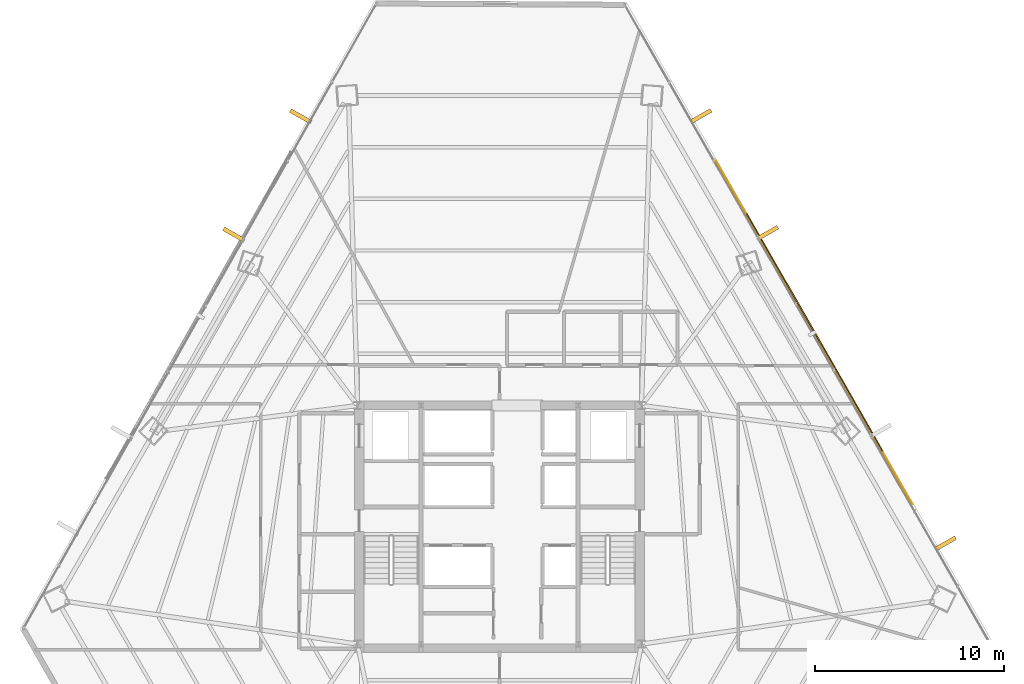
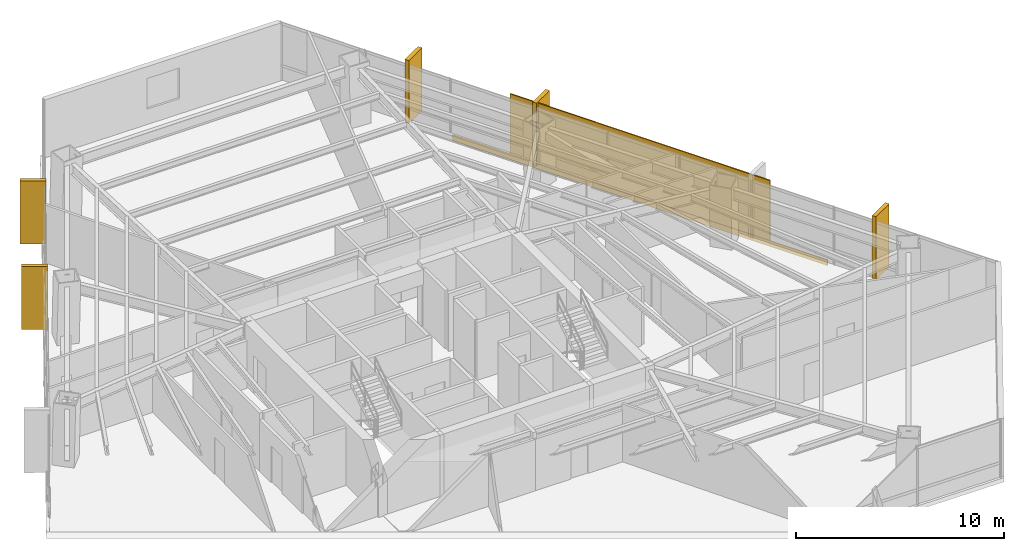
# One storey, part 36 of 36: 6 coverings, 1 shading device.
"""IFC4 building model written with IfcOpenShell, lengths in metres."""

from ifc_helpers import new_model, si_unit, direction, frame, origin, origin_2d, place, context, subcontext, project, spatial, rectangle, extrude, source, transform, mapped, material, layer, layer_set, type_object, type_shapes, element, save


model = new_model("IFC4")

# Units and contexts
model_context = context("Model", 3, precision=1e-05, world=origin(), true_north=direction((0.0, 1.0)))
body_context = subcontext(model_context, "Body", "Model", "MODEL_VIEW")
ifc_project = project(units=[si_unit("LENGTHUNIT", "METRE"), si_unit("AREAUNIT", "SQUARE_METRE"), si_unit("VOLUMEUNIT", "CUBIC_METRE"), si_unit("PLANEANGLEUNIT", "RADIAN"), si_unit("MASSUNIT", "GRAM", prefix="KILO")], contexts=[model_context])

# Site, building, storey
site_placement = place(None, origin())
site = spatial("IfcSite", under=ifc_project, at=site_placement, CompositionType="ELEMENT")
building_placement = place(site_placement, origin())
building = spatial("IfcBuilding", under=site, at=building_placement, Name="Caelisora Broadcast Tower", CompositionType="ELEMENT")
storey_placement = place(building_placement, frame((0.0, 0.0, 79.85009765625)))
storey = spatial("IfcBuildingStorey", under=building, at=storey_placement, Name="L20", CompositionType="ELEMENT", Elevation=79.85009765625)

# Coverings
ifc_material_1 = material(Name="Kiln-Fired Terracotta Spandrel Rainscreen Cladding", Category="ceramic")
ifc_layer_1 = layer(ifc_material_1, 0.044921875, Name="Kiln-Fired Terracotta Spandrel Rainscreen Cladding")
ifc_layer_set_1 = layer_set([ifc_layer_1], Name="Kiln-Fired Terracotta Spandrel Rainscreen Cladding")
covering_type = type_object("IfcCoveringType", Name="CL-1", PredefinedType="CLADDING", material=ifc_layer_set_1)
shared_shape_1 = source(origin(), body_context, "Body", "SweptSolid", [
    extrude(rectangle(XDim=0.219970703125, YDim=1.25, at=origin_2d()), origin(), (0.0, 0.0, 1.0), 3.68994140625),
])
for number, where, z_axis, x_axis, name in (
    (1, (48.6279296875, 45.273681640625, -0.02001953125), (0.0, 0.0, 1.0), (0.496519531995, -0.868025549363, 0.0), "L20 vertical solar fin cladding #1-1"),
    (2, (52.15576171875, 39.107421875, -0.02001953125), (0.0, 0.0, 1.0), (0.496519531995, -0.868025549363, 0.0), "L20 vertical solar fin cladding #1-2"),
    (3, (61.5390625, 22.70703125, -0.02001953125), (0.0, 0.0, 1.0), (0.496519531995, -0.868025549363, 0.0), "L20 vertical solar fin cladding #1-4"),
    (4, (23.971435546875, 39.025390625, -0.02001953125), (0.0, 0.0, 1.0), (0.49181581725, 0.870699260309, 0.0), "L20 vertical solar fin cladding #3-3"),
    (5, (27.497314453125, 45.267333984375, -0.02001953125), (0.0, 0.0, 1.0), (0.49181581725, 0.870699260309, 0.0), "L20 vertical solar fin cladding #3-4"),
):
    element("IfcCovering", number, at=place(storey_placement, frame(where, z_axis=z_axis, x_axis=x_axis)), inside=storey, type_object=covering_type, Name=name, PredefinedType="CLADDING", context=body_context, shape_type="MappedRepresentation", body=[
        mapped(shared_shape_1, transform((0.0, 0.0, 0.0), scale=1.0)),
    ])

# Shading device
ifc_material_2 = material(Name="Perforated Glazed Terracotta Baguette Solar Screen", Category="ceramic")
ifc_layer_2 = layer(ifc_material_2, 0.06494140625, Name="Perforated Glazed Terracotta Baguette Solar Screen")
ifc_layer_set_2 = layer_set([ifc_layer_2], Name="Perforated Glazed Terracotta Baguette Solar Screen")
shading_device_type = type_object("IfcShadingDeviceType", Name="SS-1", PredefinedType="USERDEFINED", material=ifc_layer_set_2)
shared_shape_2 = source(origin(), body_context, "Body", "SweptSolid", [
    extrude(rectangle(XDim=14.452880859375, YDim=0.06494140625, at=origin_2d()), origin(), (0.0, 0.0, 1.0), 3.590087890625),
])
type_shapes(shading_device_type, [shared_shape_2])
shading_device_placement = place(storey_placement, frame((54.634765625, 33.86865234375, 0.0), z_axis=(0.0, 0.0, 1.0), x_axis=(-0.49667102347, 0.867938877136, 0.0)))
element("IfcShadingDevice", 6, at=shading_device_placement, inside=storey, type_object=shading_device_type, Name="L20 perforated terracotta solar screen #3", ObjectType="SOLAR SCREEN", PredefinedType="USERDEFINED", context=body_context, shape_type="MappedRepresentation", body=[
    mapped(shared_shape_2, transform((0.0, 0.0, 0.0), scale=1.0)),
])

# Covering
shared_shape_3 = source(origin(), body_context, "Body", "SweptSolid", [
    extrude(rectangle(XDim=20.876953125, YDim=0.044921875, at=origin_2d()), origin(), (0.0, 0.0, 1.0), 0.340087890625),
])
type_shapes(covering_type, [shared_shape_1, shared_shape_3])
covering_placement = place(storey_placement, frame((54.617431640625, 33.858642578125, -0.27001953125), z_axis=(0.0, 0.0, 1.0), x_axis=(-0.49667102347, 0.867938877136, 0.0)))
element("IfcCovering", 7, at=covering_placement, inside=storey, type_object=covering_type, Name="L20 terracotta spandrel rainscreen #3", PredefinedType="CLADDING", context=body_context, shape_type="MappedRepresentation", body=[
    mapped(shared_shape_3, transform((0.0, 0.0, 0.0), scale=1.0)),
])

save(model, "model.ifc")
